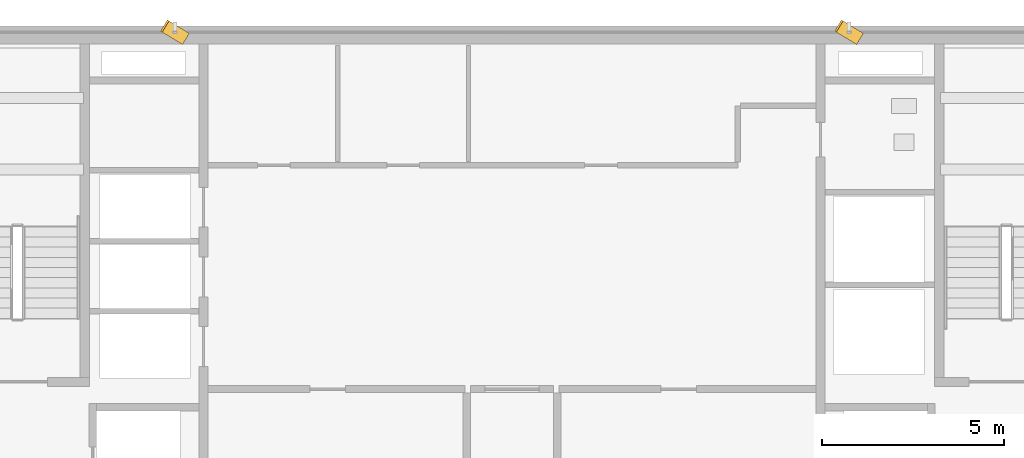
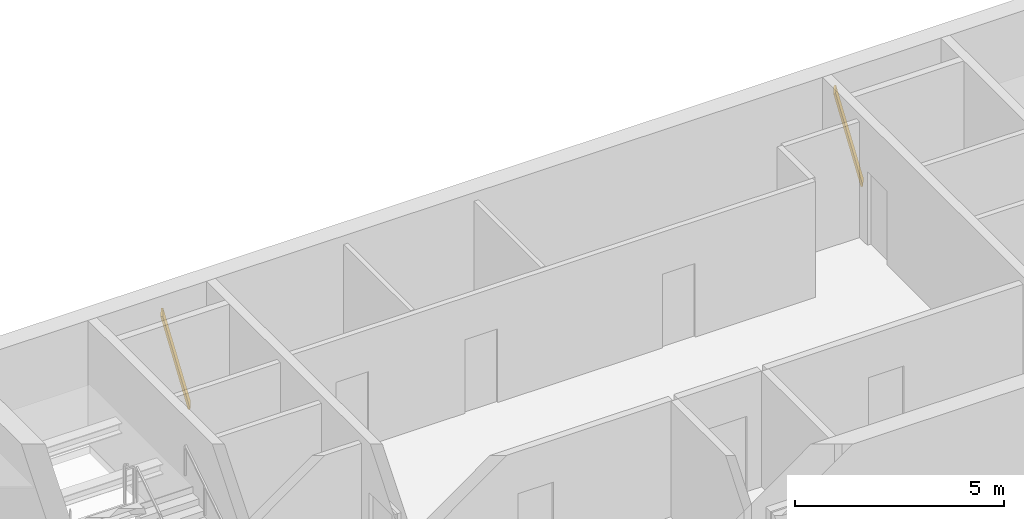
# One storey, part 29 of 30: 2 shading devices.
"""IFC4 building model written with IfcOpenShell, lengths in metres."""

from ifc_helpers import new_model, si_unit, direction, frame, origin, origin_2d, place, context, subcontext, project, spatial, rectangle, extrude, source, transform, mapped, material, material_profile, profile_set, type_object, element, save


model = new_model("IFC4")

# Units and contexts
model_context = context("Model", 3, precision=1e-05, world=origin(), true_north=direction((0.0, 1.0)))
body_context = subcontext(model_context, "Body", "Model", "MODEL_VIEW")
ifc_project = project(units=[si_unit("LENGTHUNIT", "METRE"), si_unit("AREAUNIT", "SQUARE_METRE"), si_unit("VOLUMEUNIT", "CUBIC_METRE"), si_unit("PLANEANGLEUNIT", "RADIAN"), si_unit("MASSUNIT", "GRAM", prefix="KILO")], contexts=[model_context])

# Site, building, storey
site_placement = place(None, origin())
site = spatial("IfcSite", under=ifc_project, at=site_placement, CompositionType="ELEMENT")
building_placement = place(site_placement, origin())
building = spatial("IfcBuilding", under=site, at=building_placement, Name="Sumidabori Civic Tower", CompositionType="ELEMENT")
storey_placement = place(building_placement, frame((0.0, 0.0, 200.0)))
storey = spatial("IfcBuildingStorey", under=building, at=storey_placement, Name="L51", CompositionType="ELEMENT", Elevation=200.0)

# Shading devices
ifc_material = material(Name="Anodised Bronze Aluminium AW-6063-T6", Category="aluminium")
ifc_material_profile = material_profile(ifc_material, rectangle(XDim=0.054931640625, YDim=0.360107421875, at=origin_2d()), Name="BRONZE FIN 360x55")
ifc_profile_set = profile_set([ifc_material_profile], Name="Anodised Bronze Aluminium AW-6063-T6")
shading_device_type = type_object("IfcShadingDeviceType", Name="SH-FIN-360", PredefinedType="USERDEFINED", material=ifc_profile_set)
shared_shape = source(origin(), body_context, "Body", "SweptSolid", [
    extrude(rectangle(XDim=0.054931640625, YDim=0.360107421875, at=origin_2d()), origin(), (0.0, 0.0, 1.0), 2.7783203125),
])
for number, where, z_axis, x_axis, name in (
    (1, (9.56494140625, 23.7099609375, 0.02001953125), (-0.201581748781, 0.122407748933, 0.971792746196), (0.830641884105, -0.504395878186, 0.235836507862), "Bronze Anodised Diagonal Fin L51-01"),
    (2, (-9.0048828125, 23.7099609375, 0.02001953125), (-0.201581748781, 0.122407748933, 0.971792746196), (0.830641884105, -0.504395878186, 0.235836507862), "Bronze Anodised Diagonal Fin L51-03"),
):
    element("IfcShadingDevice", number, at=place(storey_placement, frame(where, z_axis=z_axis, x_axis=x_axis)), inside=storey, type_object=shading_device_type, Name=name, ObjectType="FIN", PredefinedType="USERDEFINED", context=body_context, shape_type="MappedRepresentation", body=[
        mapped(shared_shape, transform((0.0, 0.0, 0.0), x_axis=(1.0, 0.0, 0.0), y_axis=(0.0, 1.0, 0.0), z_axis=(0.0, 0.0, 1.0), scale=1.0)),
    ])

save(model, "model.ifc")
